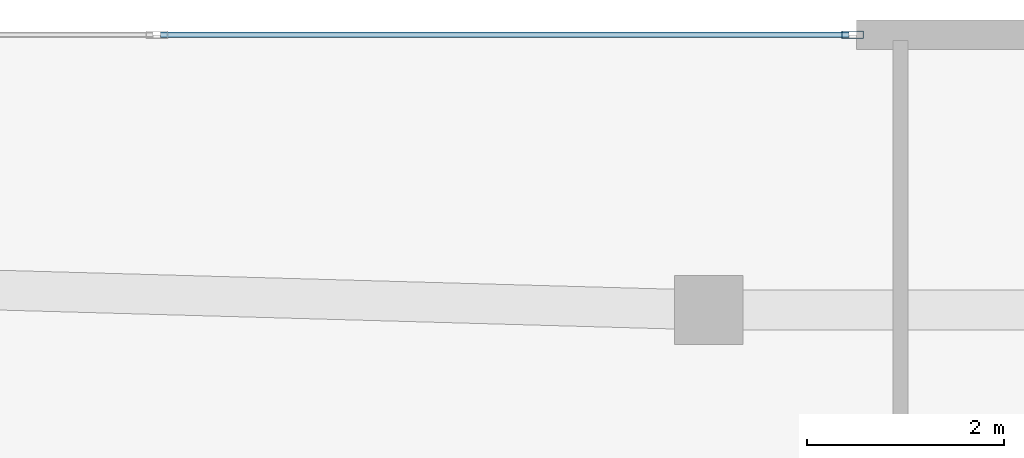
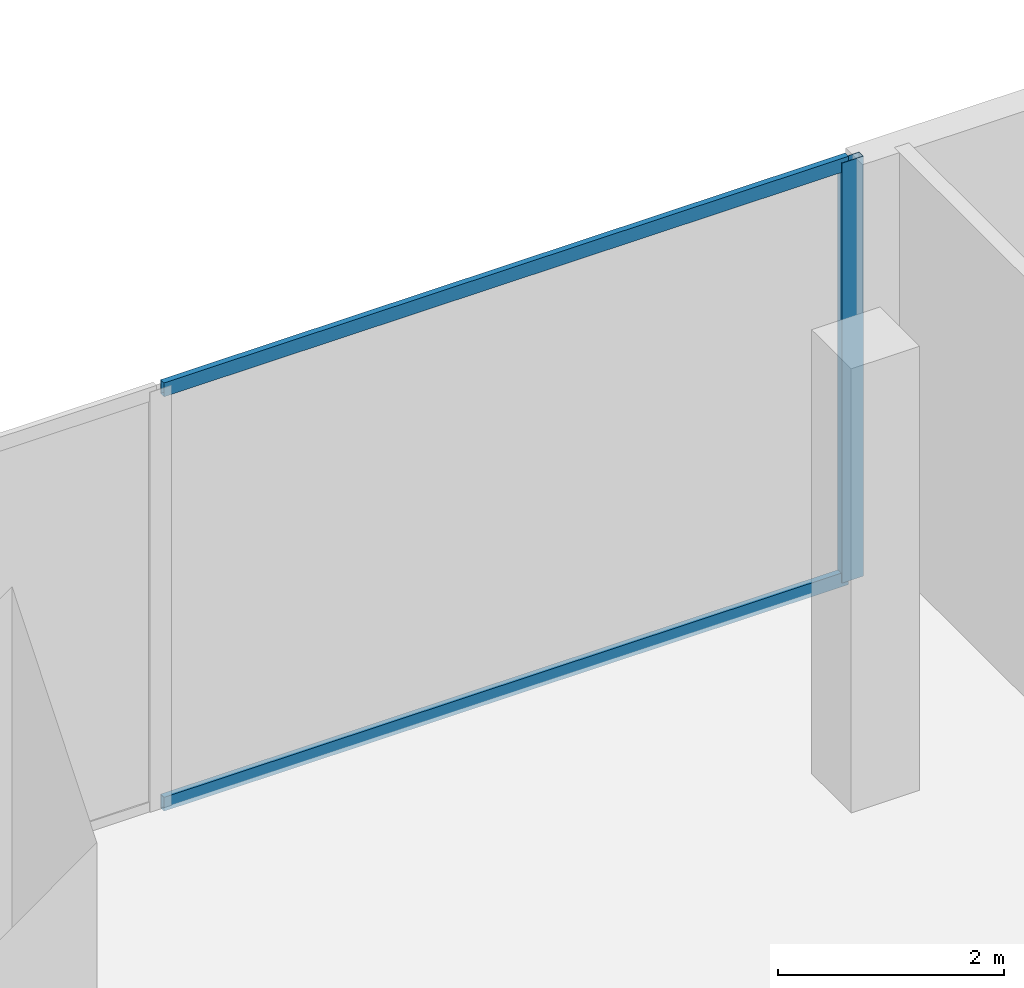
# One storey, part 20 of 33: 3 members, 1 element without a shape of its own.
"""IFC4 building model written with IfcOpenShell, lengths in metres."""

import ifcopenshell
import ifcopenshell.guid

model = None  # the IFC model being written
_history = None  # IfcOwnerHistory: only IFC2X3 demands one
_inside = {}  # id of a spatial element -> (the spatial element, [elements in it])
_under = {}  # id of a project, library or spatial element -> (it, [spatial elements below it])
_declared = {}  # id of a project -> (the project, [libraries it declares])
_typed = {}  # id of a type object -> (the type object, [elements of that type])
_made_of = {}  # id of a material, layer set ... -> (it, [elements and type objects made of it])


def new_model(schema):
    """Start an empty IFC model of exactly this schema.

    Asked for "IFC4X3", IfcOpenShell would pick the latest addendum, in which some entities
    have other attributes; the version numbers below select the first issue.
    IFC2X3 requires an IfcOwnerHistory on every rooted entity: one is made here for all.
    """
    global model, _history
    if schema == "IFC4X3":
        model = ifcopenshell.file(schema_version=(4, 3, 0, 0))
    else:
        model = ifcopenshell.file(schema=schema)
    _inside.clear()
    _under.clear()
    _declared.clear()
    _typed.clear()
    _made_of.clear()
    _history = None
    if model.schema == "IFC2X3":
        org = make("IfcOrganization", Name="unknown")
        user = make(
            "IfcPersonAndOrganization",
            ThePerson=make("IfcPerson", FamilyName="unknown"),
            TheOrganization=org,
        )
        app = make(
            "IfcApplication",
            ApplicationDeveloper=org,
            Version="unknown",
            ApplicationFullName="unknown",
            ApplicationIdentifier="unknown",
        )
        _history = make(
            "IfcOwnerHistory",
            OwningUser=user,
            OwningApplication=app,
            ChangeAction="ADDED",
            CreationDate=0,
        )
    return model


def make(cls, **values):
    """One entity of the class cls with the attributes given. An attribute that is None is left unset."""
    return model.create_entity(
        cls, **{name: value for name, value in values.items() if value is not None}
    )


def rooted(cls, **values):
    """An entity with a GlobalId (a new one), such as an element, a storey or a relation."""
    return make(cls, GlobalId=ifcopenshell.guid.new(), OwnerHistory=_history, **values)


def si_unit(unit_type, name, prefix=None):
    """IfcSIUnit, for example si_unit("LENGTHUNIT", "METRE", prefix="MILLI")."""
    return make("IfcSIUnit", UnitType=unit_type, Prefix=prefix, Name=name)


def assignment(units):
    """IfcUnitAssignment: the units of a project."""
    return None if units is None else make("IfcUnitAssignment", Units=units)


def point(xyz):
    """IfcCartesianPoint."""
    return None if xyz is None else make("IfcCartesianPoint", Coordinates=xyz)


def direction(xyz):
    """IfcDirection."""
    return None if xyz is None else make("IfcDirection", DirectionRatios=xyz)


def frame(location, z_axis=None, x_axis=None):
    """IfcAxis2Placement3D, a coordinate frame: its origin and axes. An axis left out is left unset."""
    return make(
        "IfcAxis2Placement3D",
        Location=point(location),
        Axis=direction(z_axis),
        RefDirection=direction(x_axis),
    )


def frame_2d(location, x_axis=None):
    """IfcAxis2Placement2D, a coordinate frame in the plane: its origin and x axis."""
    return make(
        "IfcAxis2Placement2D", Location=point(location), RefDirection=direction(x_axis)
    )


def origin():
    """The frame at (0, 0, 0) with its axes left unset."""
    return frame((0.0, 0.0, 0.0))


def origin_2d():
    """The frame at (0, 0) in the plane with its x axis left unset."""
    return frame_2d((0.0, 0.0))


def place(relative_to, where):
    """IfcLocalPlacement: puts the frame where relative to a parent placement (None: the world)."""
    return make(
        "IfcLocalPlacement", PlacementRelTo=relative_to, RelativePlacement=where
    )


def context(
    kind, dimensions, precision=None, world=None, true_north=None, identifier=None
):
    """IfcGeometricRepresentationContext, for example the 3D "Model" context."""
    return make(
        "IfcGeometricRepresentationContext",
        ContextIdentifier=identifier,
        ContextType=kind,
        CoordinateSpaceDimension=dimensions,
        Precision=precision,
        WorldCoordinateSystem=world,
        TrueNorth=true_north,
    )


def subcontext(parent, identifier, kind, view, scale=None):
    """IfcGeometricRepresentationSubContext, for example "Body" below "Model"."""
    return make(
        "IfcGeometricRepresentationSubContext",
        ContextIdentifier=identifier,
        ContextType=kind,
        ParentContext=parent,
        TargetScale=scale,
        TargetView=view,
    )


def project(units=None, contexts=None):
    """IfcProject with its units and contexts."""
    return rooted(
        "IfcProject",
        Name="project",
        RepresentationContexts=contexts,
        UnitsInContext=assignment(units),
    )


def spatial(cls, under=None, at=None, **own):
    """A site, building, storey or space (cls), placed at a placement, below another one or the project."""
    s = rooted(cls, ObjectPlacement=at, **own)
    if under is not None:
        _under.setdefault(under.id(), (under, []))[1].append(s)
    return s


def profile(cls, at=None, kind="AREA", **sizes):
    """A parametric profile (cls). Its sizes go by their IFC names, for example OverallWidth=200.0."""
    return make(cls, ProfileType=kind, Position=at, **sizes)


def hollow_rectangle(**sizes):
    """IfcRectangleHollowProfileDef."""
    return profile("IfcRectangleHollowProfileDef", **sizes)


def extrude(swept, where, along, depth):
    """IfcExtrudedAreaSolid: the profile swept, set in the frame where, extruded along a direction by depth."""
    return make(
        "IfcExtrudedAreaSolid",
        SweptArea=swept,
        Position=where,
        ExtrudedDirection=direction(along),
        Depth=depth,
    )


def shape(context_of_items, identifier, shape_type, items):
    """IfcShapeRepresentation: the items that make up one representation, for example the "Body"."""
    return make(
        "IfcShapeRepresentation",
        ContextOfItems=context_of_items,
        RepresentationIdentifier=identifier,
        RepresentationType=shape_type,
        Items=items,
    )


def material(Name=None, Category=None):
    """IfcMaterial."""
    return make("IfcMaterial", Name=Name, Category=Category)


def layer(
    of_material, thickness, ventilated=None, Name=None, Category=None, Priority=None
):
    """IfcMaterialLayer: one layer of a wall or slab, of a material (None: an air gap)."""
    return make(
        "IfcMaterialLayer",
        Material=of_material,
        LayerThickness=thickness,
        IsVentilated=ventilated,
        Name=Name,
        Category=Category,
        Priority=Priority,
    )


def layer_set(layers, Name=None):
    """IfcMaterialLayerSet."""
    return make("IfcMaterialLayerSet", MaterialLayers=layers, LayerSetName=Name)


def material_profile(
    of_material, cross_section, Name=None, Category=None, Priority=None
):
    """IfcMaterialProfile: a cross section and its material."""
    return make(
        "IfcMaterialProfile",
        Name=Name,
        Material=of_material,
        Profile=cross_section,
        Priority=Priority,
        Category=Category,
    )


def profile_set(profiles, Name=None, composite=None):
    """IfcMaterialProfileSet."""
    return make(
        "IfcMaterialProfileSet",
        Name=Name,
        MaterialProfiles=profiles,
        CompositeProfile=composite,
    )


def made_of(thing, what):
    """Note that an element or type object is made of a material, layer set ...; save() writes the relation."""
    if what is not None:
        _made_of.setdefault(what.id(), (what, []))[1].append(thing)
    return thing


def type_object(cls, material=None, **own):
    """A type object (cls), such as IfcWallType, which elements share."""
    return made_of(rooted(cls, **own), material)


def element(
    cls,
    number,
    at=None,
    inside=None,
    cuts=None,
    type_object=None,
    material=None,
    context=None,
    identifier="Body",
    shape_type=None,
    held_by="IfcProductDefinitionShape",
    body=None,
    shapes=None,
    **own,
):
    """One element of the class cls, such as IfcWall. Its Tag is "e" and its number.

    at: its placement. inside: the storey or other place that contains it. cuts: it is an
    opening in that element (IfcRelVoidsElement). A single representation is given by context,
    identifier, shape_type and body (its items); several are given by shapes. held_by: the class
    of the entity that holds the representations. save() writes the other relations.
    """
    e = rooted(cls, Tag="e%d" % number, ObjectPlacement=at, **own)
    if body is not None:
        shapes = [shape(context, identifier, shape_type, body)]
    if shapes is not None:
        e.Representation = make(held_by, Representations=shapes)
    if inside is not None:
        _inside.setdefault(inside.id(), (inside, []))[1].append(e)
    if cuts is not None:
        rooted(
            "IfcRelVoidsElement", RelatingBuildingElement=cuts, RelatedOpeningElement=e
        )
    if type_object is not None:
        _typed.setdefault(type_object.id(), (type_object, []))[1].append(e)
    return made_of(e, material)


def aggregate(whole, parts):
    """IfcRelAggregates: a whole, such as a stair, and the parts it consists of."""
    return rooted("IfcRelAggregates", RelatingObject=whole, RelatedObjects=parts)


def save(model, path):
    """Write the relations noted so far, then the file.

    IfcRelAggregates (storeys below a building ...), IfcRelContainedInSpatialStructure (elements
    in a storey), IfcRelDefinesByType, IfcRelAssociatesMaterial and IfcRelDeclares: one each for
    every whole, place, type object, material and project.
    """
    for whole, parts in _under.values():
        aggregate(whole, parts)
    for where, things in _inside.values():
        rooted(
            "IfcRelContainedInSpatialStructure",
            RelatedElements=things,
            RelatingStructure=where,
        )
    for kind, things in _typed.values():
        rooted("IfcRelDefinesByType", RelatedObjects=things, RelatingType=kind)
    for what, things in _made_of.values():
        rooted("IfcRelAssociatesMaterial", RelatedObjects=things, RelatingMaterial=what)
    for by, libraries in _declared.values():
        rooted("IfcRelDeclares", RelatingContext=by, RelatedDefinitions=libraries)
    model.write(path)


model = new_model("IFC4")

# Units and contexts
model_context = context("Model", 3, precision=1e-05, world=origin(), true_north=direction((0.0, 1.0)))
body_context = subcontext(model_context, "Body", "Model", "MODEL_VIEW")
ifc_project = project(units=[si_unit("LENGTHUNIT", "METRE"), si_unit("AREAUNIT", "SQUARE_METRE"), si_unit("VOLUMEUNIT", "CUBIC_METRE"), si_unit("PLANEANGLEUNIT", "RADIAN"), si_unit("MASSUNIT", "GRAM", prefix="KILO")], contexts=[model_context])

# Site, building, storey
site_placement = place(None, origin())
site = spatial("IfcSite", under=ifc_project, at=site_placement, CompositionType="ELEMENT")
building_placement = place(site_placement, origin())
building = spatial("IfcBuilding", under=site, at=building_placement, Name="Zuhayl Quay Hotel", CompositionType="ELEMENT")
storey_placement = place(building_placement, frame((0.0, 0.0, 18.0)))
storey = spatial("IfcBuildingStorey", under=building, at=storey_placement, Name="L03", CompositionType="ELEMENT", Elevation=18.0)

# Curtain wall, members
ifc_material_1 = material(Name="Anodised Aluminium 6063-T6", Category="aluminium")
ifc_layer = layer(ifc_material_1, 0.199951171875, Name="Anodised Aluminium 6063-T6", Category="aluminium")
ifc_layer_set = layer_set([ifc_layer], Name="Anodised Aluminium 6063-T6")
curtain_wall_type = type_object("IfcCurtainWallType", Name="CW_SYS_POD", PredefinedType="USERDEFINED", material=ifc_layer_set)
curtain_wall_placement = place(storey_placement, origin())
curtain_wall = element("IfcCurtainWall", 1, at=curtain_wall_placement, inside=storey, type_object=curtain_wall_type, Name="L03 Curtain Wall ENV_L03_E05_CW3", ObjectType="UNITISED CURTAIN WALL", PredefinedType="USERDEFINED")
ifc_material_2 = material(Name="Black-anodised aluminium 6063-T6", Category="aluminium")
ifc_material_profile_1 = material_profile(ifc_material_2, hollow_rectangle(XDim=0.074951171875, YDim=0.219970703125, WallThickness=0.00390625, at=origin_2d()), Name="ALU220X75")
ifc_profile_set_1 = profile_set([ifc_material_profile_1], Name="Black-anodised aluminium 6063-T6")
member_type_1 = type_object("IfcMemberType", Name="MB_CW_MUL_220", PredefinedType="MULLION", material=ifc_profile_set_1)
member_1_placement = place(storey_placement, frame((24.16259765625, 25.0, 0.0), z_axis=(0.0, 0.0, 1.0), x_axis=(0.0, 1.0, 0.0)))
member_1 = element("IfcMember", 2, at=member_1_placement, type_object=member_type_1, Name="CW-POD mullion 7", PredefinedType="MULLION", context=body_context, shape_type="SweptSolid", body=[
    extrude(hollow_rectangle(XDim=0.074951171875, YDim=0.219970703125, WallThickness=0.00390625, at=origin_2d()), origin(), (0.0, 0.0, 1.0), 4.5400390625),
])
ifc_material_profile_2 = material_profile(ifc_material_2, hollow_rectangle(XDim=0.06005859375, YDim=0.14990234375, WallThickness=0.00341796875, at=origin_2d()), Name="ALU150X60")
ifc_profile_set_2 = profile_set([ifc_material_profile_2], Name="Black-anodised aluminium 6063-T6")
member_type_2 = type_object("IfcMemberType", Name="MB_CW_TRN_150", PredefinedType="USERDEFINED", material=ifc_profile_set_2)
member_2_placement = place(storey_placement, frame((17.125, 25.0, 0.030029296875), z_axis=(1.0, 0.0, 0.0), x_axis=(0.0, 1.0, 0.0)))
member_2 = element("IfcMember", 3, at=member_2_placement, type_object=member_type_2, Name="CW-POD transom 6.1", ObjectType="TRANSOM", PredefinedType="USERDEFINED", context=body_context, shape_type="SweptSolid", body=[
    extrude(hollow_rectangle(XDim=0.06005859375, YDim=0.14990234375, WallThickness=0.00341796875, at=origin_2d()), origin(), (0.0, 0.0, 1.0), 7.0),
])
member_3_placement = place(storey_placement, frame((17.125, 25.0, 4.510009765625), z_axis=(1.0, 0.0, 0.0), x_axis=(0.0, 1.0, 0.0)))
member_3 = element("IfcMember", 4, at=member_3_placement, type_object=member_type_2, Name="CW-POD transom 6.2", ObjectType="TRANSOM", PredefinedType="USERDEFINED", context=body_context, shape_type="SweptSolid", body=[
    extrude(hollow_rectangle(XDim=0.06005859375, YDim=0.14990234375, WallThickness=0.00341796875, at=origin_2d()), origin(), (0.0, 0.0, 1.0), 7.0),
])
aggregate(curtain_wall, [member_1, member_2, member_3])

save(model, "model.ifc")
